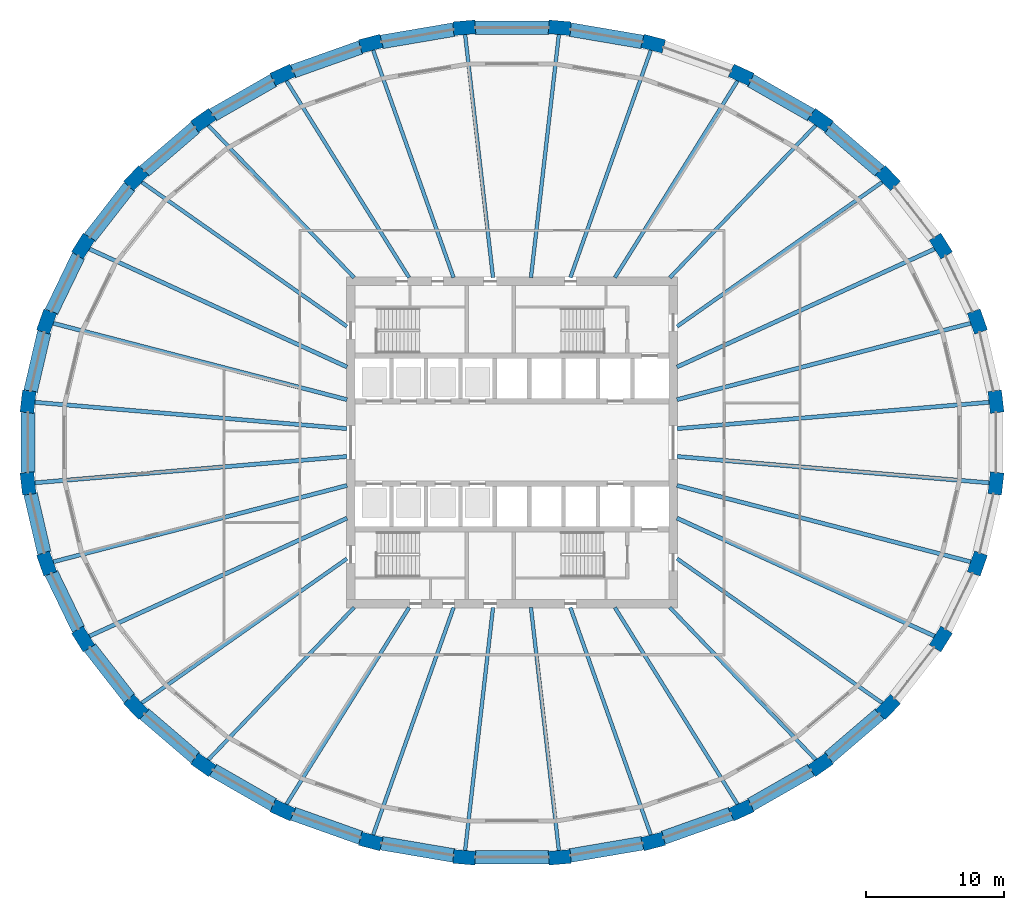
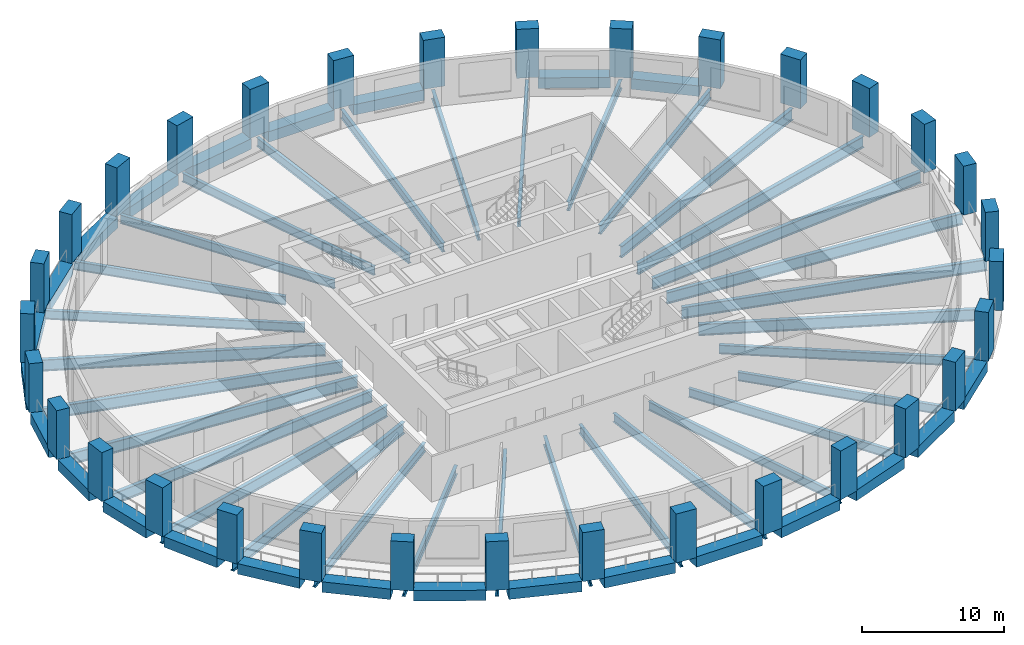
# One storey, part 1 of 10: 56 beams, 32 columns.
"""IFC4 building model written with IfcOpenShell, lengths in metres."""

from ifc_helpers import new_model, si_unit, direction, frame, origin, origin_2d, place, context, subcontext, project, spatial, rectangle, i_section, extrude, material, material_profile, profile_set, type_object, element, save


model = new_model("IFC4")

# Units and contexts
model_context = context("Model", 3, precision=1e-05, world=origin(), true_north=direction((0.0, 1.0)))
body_context = subcontext(model_context, "Body", "Model", "MODEL_VIEW")
ifc_project = project(units=[si_unit("LENGTHUNIT", "METRE"), si_unit("AREAUNIT", "SQUARE_METRE"), si_unit("VOLUMEUNIT", "CUBIC_METRE"), si_unit("PLANEANGLEUNIT", "RADIAN"), si_unit("MASSUNIT", "GRAM", prefix="KILO")], contexts=[model_context])

# Site, building, storey
site_placement = place(None, origin())
site = spatial("IfcSite", under=ifc_project, at=site_placement, CompositionType="ELEMENT")
building_placement = place(site_placement, origin())
building = spatial("IfcBuilding", under=site, at=building_placement, Name="Halqa Exchange Tower", CompositionType="ELEMENT")
storey_placement = place(building_placement, frame((0.0, 0.0, 104.5)))
storey = spatial("IfcBuildingStorey", under=building, at=storey_placement, Name="L23", CompositionType="ELEMENT", Elevation=104.5)

# Columns
ifc_material_1 = material(Name="Concrete C70/85", Category="concrete")
ifc_material_profile_1 = material_profile(ifc_material_1, rectangle(XDim=1.60009765625, YDim=1.0, at=origin_2d()), Name="1600 x 1000")
ifc_profile_set_1 = profile_set([ifc_material_profile_1], Name="Concrete C70/85")
column_type = type_object("IfcColumnType", Name="RC ring column 1600 x 1000 C70/85", PredefinedType="COLUMN", material=ifc_profile_set_1)
for number, where, z_axis, x_axis, name in (
    (1, (35.11962890625, 2.96484375, 0.0), (0.0, 0.0, 1.0), (-0.114162123735, 0.993462132899, 0.0), "Ring column 1"),
    (2, (33.77001953125, 8.780517578125, 0.0), (0.0, 0.0, 1.0), (-0.333625878908, 0.942705560036, 0.0), "Ring column 2"),
    (3, (31.12255859375, 14.2587890625, 0.0), (0.0, 0.0, 1.0), (-0.529139015285, 0.848535151012, 0.0), "Ring column 3"),
    (4, (27.279296875, 19.189208984375, 0.0), (0.0, 0.0, 1.0), (-0.69158113391, 0.722298785282, 0.0), "Ring column 4"),
    (5, (22.387451171875, 23.382080078125, 0.0), (0.0, 0.0, 1.0), (-0.817910796357, 0.575345052297, 0.0), "Ring column 5"),
    (6, (16.635498046875, 26.676513671875, 0.0), (0.0, 0.0, 1.0), (-0.909127822794, 0.416517228722, 0.0), "Ring column 6"),
    (7, (10.243896484375, 28.945556640625, 0.0), (0.0, 0.0, 1.0), (-0.967819942774, 0.251643713153, 0.0), "Ring column 7"),
    (8, (3.458984375, 30.102294921875, 0.0), (0.0, 0.0, 1.0), (-0.996455665803, 0.084119593962, 0.0), "Ring column 8"),
    (9, (-3.458984375, 30.102294921875, 0.0), (0.0, 0.0, 1.0), (-0.996455665803, -0.084119593962, 0.0), "Ring column 9"),
    (10, (-10.243896484375, 28.945556640625, 0.0), (0.0, 0.0, 1.0), (-0.967819942774, -0.251643713153, 0.0), "Ring column 10"),
    (11, (-16.635498046875, 26.676513671875, 0.0), (0.0, 0.0, 1.0), (-0.909127822794, -0.416517228722, 0.0), "Ring column 11"),
    (12, (-22.387451171875, 23.382080078125, 0.0), (0.0, 0.0, 1.0), (-0.817910796357, -0.575345052297, 0.0), "Ring column 12"),
    (13, (-27.279296875, 19.189208984375, 0.0), (0.0, 0.0, 1.0), (-0.69158113391, -0.722298785282, 0.0), "Ring column 13"),
    (14, (-31.12255859375, 14.2587890625, 0.0), (0.0, 0.0, 1.0), (-0.529139015285, -0.848535151012, 0.0), "Ring column 14"),
    (15, (-33.77001953125, 8.780517578125, 0.0), (0.0, 0.0, 1.0), (-0.333625878908, -0.942705560036, 0.0), "Ring column 15"),
    (16, (-35.11962890625, 2.96484375, 0.0), (0.0, 0.0, 1.0), (-0.114162123735, -0.993462132899, 0.0), "Ring column 16"),
    (17, (-35.11962890625, -2.96484375, 0.0), (0.0, 0.0, 1.0), (0.114162123735, -0.993462132899, 0.0), "Ring column 17"),
    (18, (-33.77001953125, -8.780517578125, 0.0), (0.0, 0.0, 1.0), (0.333625878908, -0.942705560036, 0.0), "Ring column 18"),
    (19, (-31.12255859375, -14.2587890625, 0.0), (0.0, 0.0, 1.0), (0.529139015285, -0.848535151012, 0.0), "Ring column 19"),
    (20, (-27.279296875, -19.189208984375, 0.0), (0.0, 0.0, 1.0), (0.69158113391, -0.722298785282, 0.0), "Ring column 20"),
    (21, (-22.387451171875, -23.382080078125, 0.0), (0.0, 0.0, 1.0), (0.817910796357, -0.575345052297, 0.0), "Ring column 21"),
    (22, (-16.635498046875, -26.676513671875, 0.0), (0.0, 0.0, 1.0), (0.909127822794, -0.416517228722, 0.0), "Ring column 22"),
    (23, (-10.243896484375, -28.945556640625, 0.0), (0.0, 0.0, 1.0), (0.967819942774, -0.251643713153, 0.0), "Ring column 23"),
    (24, (-3.458984375, -30.102294921875, 0.0), (0.0, 0.0, 1.0), (0.996455665803, -0.084119593962, 0.0), "Ring column 24"),
    (25, (3.458984375, -30.102294921875, 0.0), (0.0, 0.0, 1.0), (0.996455665803, 0.084119593962, 0.0), "Ring column 25"),
    (26, (10.243896484375, -28.945556640625, 0.0), (0.0, 0.0, 1.0), (0.967819942774, 0.251643713153, 0.0), "Ring column 26"),
    (27, (16.635498046875, -26.676513671875, 0.0), (0.0, 0.0, 1.0), (0.909127822794, 0.416517228722, 0.0), "Ring column 27"),
    (28, (22.387451171875, -23.382080078125, 0.0), (0.0, 0.0, 1.0), (0.817910796357, 0.575345052297, 0.0), "Ring column 28"),
    (29, (27.279296875, -19.189208984375, 0.0), (0.0, 0.0, 1.0), (0.69158113391, 0.722298785282, 0.0), "Ring column 29"),
    (30, (31.12255859375, -14.2587890625, 0.0), (0.0, 0.0, 1.0), (0.529139015285, 0.848535151012, 0.0), "Ring column 30"),
    (31, (33.77001953125, -8.780517578125, 0.0), (0.0, 0.0, 1.0), (0.333625878908, 0.942705560036, 0.0), "Ring column 31"),
    (32, (35.11962890625, -2.96484375, 0.0), (0.0, 0.0, 1.0), (0.114162123735, 0.993462132899, 0.0), "Ring column 32"),
):
    element("IfcColumn", number, at=place(storey_placement, frame(where, z_axis=z_axis, x_axis=x_axis)), inside=storey, type_object=column_type, Name=name, PredefinedType="COLUMN", context=body_context, shape_type="SweptSolid", body=[
        extrude(rectangle(XDim=1.60009765625, YDim=1.0, at=origin_2d()), origin(), (0.0, 0.0, 1.0), 4.199951171875),
    ])

# Beams
ifc_material_2 = material(Name="Steel S355", Category="steel")
ifc_material_profile_2 = material_profile(ifc_material_2, i_section(OverallWidth=0.300048828125, OverallDepth=0.989990234375, WebThickness=0.0166015625, FlangeThickness=0.031005859375, FilletRadius=0.030029296875, at=origin_2d()), Name="HEA 1000")
ifc_profile_set_2 = profile_set([ifc_material_profile_2], Name="Steel S355")
beam_type_1 = type_object("IfcBeamType", Name="Floor beam HEA 1000", PredefinedType="BEAM", material=ifc_profile_set_2)
beam_1_placement = place(storey_placement, frame((11.972412109375, 1.0107421875, -0.794921875), z_axis=(0.996455564778, 0.084120790668, 0.0), x_axis=(-0.084120790668, 0.996455564778, 0.0)))
element("IfcBeam", 33, at=beam_1_placement, inside=storey, type_object=beam_type_1, Name="Radial beam 1", PredefinedType="BEAM", context=body_context, shape_type="SweptSolid", body=[
    extrude(i_section(OverallWidth=0.300048828125, OverallDepth=0.989990234375, WebThickness=0.0166015625, FlangeThickness=0.031005859375, FilletRadius=0.030029296875, at=origin_2d()), origin(), (0.0, 0.0, 1.0), 22.99755859375),
])
beam_2_placement = place(storey_placement, frame((11.97119140625, 3.11279296875, -0.794921875), z_axis=(0.96782122626, 0.251638776821, 0.0), x_axis=(-0.251638776821, 0.96782122626, 0.0)))
element("IfcBeam", 34, at=beam_2_placement, inside=storey, type_object=beam_type_1, Name="Radial beam 2", PredefinedType="BEAM", context=body_context, shape_type="SweptSolid", body=[
    extrude(i_section(OverallWidth=0.300048828125, OverallDepth=0.989990234375, WebThickness=0.0166015625, FlangeThickness=0.031005859375, FilletRadius=0.030029296875, at=origin_2d()), origin(), (0.0, 0.0, 1.0), 22.28759765625),
])
for number, where, z_axis, x_axis, name in (
    (35, (11.972412109375, 5.485107421875, -0.794921875), (0.909124576493, 0.416524314316, 0.0), (-0.416524314316, 0.909124576493, 0.0), "Radial beam 3"),
    (36, (-11.972412109375, 5.485107421875, -0.794921875), (-0.909124576493, 0.416524314316, 0.0), (-0.416524314316, -0.909124576493, 0.0), "Radial beam 14"),
):
    element("IfcBeam", number, at=place(storey_placement, frame(where, z_axis=z_axis, x_axis=x_axis)), inside=storey, type_object=beam_type_1, Name=name, PredefinedType="BEAM", context=body_context, shape_type="SweptSolid", body=[
        extrude(i_section(OverallWidth=0.300048828125, OverallDepth=0.989990234375, WebThickness=0.0166015625, FlangeThickness=0.031005859375, FilletRadius=0.030029296875, at=origin_2d()), origin(), (0.0, 0.0, 1.0), 20.82421875),
    ])
beam_3_placement = place(storey_placement, frame((-11.97119140625, 3.11279296875, -0.794921875), z_axis=(-0.96782122626, 0.251638776821, 0.0), x_axis=(-0.251638776821, -0.96782122626, 0.0)))
element("IfcBeam", 37, at=beam_3_placement, inside=storey, type_object=beam_type_1, Name="Radial beam 15", PredefinedType="BEAM", context=body_context, shape_type="SweptSolid", body=[
    extrude(i_section(OverallWidth=0.300048828125, OverallDepth=0.989990234375, WebThickness=0.0166015625, FlangeThickness=0.031005859375, FilletRadius=0.030029296875, at=origin_2d()), origin(), (0.0, 0.0, 1.0), 22.28759765625),
])
for number, where, z_axis, x_axis, name in (
    (38, (-11.972412109375, 1.0107421875, -0.794921875), (-0.996455564778, 0.084120790668, 0.0), (-0.084120790668, -0.996455564778, 0.0), "Radial beam 16"),
    (39, (-11.972412109375, -1.0107421875, -0.794921875), (-0.996455564778, -0.084120790668, 0.0), (0.084120790668, -0.996455564778, 0.0), "Radial beam 17"),
):
    element("IfcBeam", number, at=place(storey_placement, frame(where, z_axis=z_axis, x_axis=x_axis)), inside=storey, type_object=beam_type_1, Name=name, PredefinedType="BEAM", context=body_context, shape_type="SweptSolid", body=[
        extrude(i_section(OverallWidth=0.300048828125, OverallDepth=0.989990234375, WebThickness=0.0166015625, FlangeThickness=0.031005859375, FilletRadius=0.030029296875, at=origin_2d()), origin(), (0.0, 0.0, 1.0), 22.99755859375),
    ])
beam_4_placement = place(storey_placement, frame((-11.97119140625, -3.11279296875, -0.794921875), z_axis=(-0.96782122626, -0.251638776821, 0.0), x_axis=(0.251638776821, -0.96782122626, 0.0)))
element("IfcBeam", 40, at=beam_4_placement, inside=storey, type_object=beam_type_1, Name="Radial beam 18", PredefinedType="BEAM", context=body_context, shape_type="SweptSolid", body=[
    extrude(i_section(OverallWidth=0.300048828125, OverallDepth=0.989990234375, WebThickness=0.0166015625, FlangeThickness=0.031005859375, FilletRadius=0.030029296875, at=origin_2d()), origin(), (0.0, 0.0, 1.0), 22.28759765625),
])
for number, where, z_axis, x_axis, name in (
    (41, (-11.972412109375, -5.485107421875, -0.794921875), (-0.909124576493, -0.416524314316, 0.0), (0.416524314316, -0.909124576493, 0.0), "Radial beam 19"),
    (42, (11.972412109375, -5.485107421875, -0.794921875), (0.909124576493, -0.416524314316, 0.0), (0.416524314316, 0.909124576493, 0.0), "Radial beam 30"),
):
    element("IfcBeam", number, at=place(storey_placement, frame(where, z_axis=z_axis, x_axis=x_axis)), inside=storey, type_object=beam_type_1, Name=name, PredefinedType="BEAM", context=body_context, shape_type="SweptSolid", body=[
        extrude(i_section(OverallWidth=0.300048828125, OverallDepth=0.989990234375, WebThickness=0.0166015625, FlangeThickness=0.031005859375, FilletRadius=0.030029296875, at=origin_2d()), origin(), (0.0, 0.0, 1.0), 20.82421875),
    ])
beam_5_placement = place(storey_placement, frame((11.97119140625, -3.11279296875, -0.794921875), z_axis=(0.96782122626, -0.251638776821, 0.0), x_axis=(0.251638776821, 0.96782122626, 0.0)))
element("IfcBeam", 43, at=beam_5_placement, inside=storey, type_object=beam_type_1, Name="Radial beam 31", PredefinedType="BEAM", context=body_context, shape_type="SweptSolid", body=[
    extrude(i_section(OverallWidth=0.300048828125, OverallDepth=0.989990234375, WebThickness=0.0166015625, FlangeThickness=0.031005859375, FilletRadius=0.030029296875, at=origin_2d()), origin(), (0.0, 0.0, 1.0), 22.28759765625),
])
beam_6_placement = place(storey_placement, frame((11.972412109375, -1.0107421875, -0.794921875), z_axis=(0.996455564778, -0.084120790668, 0.0), x_axis=(0.084120790668, 0.996455564778, 0.0)))
element("IfcBeam", 44, at=beam_6_placement, inside=storey, type_object=beam_type_1, Name="Radial beam 32", PredefinedType="BEAM", context=body_context, shape_type="SweptSolid", body=[
    extrude(i_section(OverallWidth=0.300048828125, OverallDepth=0.989990234375, WebThickness=0.0166015625, FlangeThickness=0.031005859375, FilletRadius=0.030029296875, at=origin_2d()), origin(), (0.0, 0.0, 1.0), 22.99755859375),
])
ifc_material_profile_3 = material_profile(ifc_material_2, i_section(OverallWidth=0.264892578125, OverallDepth=0.7529296875, WebThickness=0.01318359375, FlangeThickness=0.01708984375, FilletRadius=0.01708984375, at=origin_2d()), Name="IPE 750x147")
ifc_profile_set_3 = profile_set([ifc_material_profile_3], Name="Steel S355")
beam_type_2 = type_object("IfcBeamType", Name="Floor beam IPE 750x147", PredefinedType="BEAM", material=ifc_profile_set_3)
beam_7_placement = place(storey_placement, frame((11.462890625, 11.97216796875, -0.676513671875), z_axis=(0.691575508038, 0.722304171857, 0.0), x_axis=(-0.722304171857, 0.691575508038, 0.0)))
element("IfcBeam", 45, at=beam_7_placement, inside=storey, type_object=beam_type_2, Name="Radial beam 5", PredefinedType="BEAM", context=body_context, shape_type="SweptSolid", body=[
    extrude(i_section(OverallWidth=0.264892578125, OverallDepth=0.7529296875, WebThickness=0.01318359375, FlangeThickness=0.01708984375, FilletRadius=0.01708984375, at=origin_2d()), origin(), (0.0, 0.0, 1.0), 15.54833984375),
])
beam_8_placement = place(storey_placement, frame((7.466064453125, 11.972412109375, -0.676513671875), z_axis=(0.529145374109, 0.848531185673, 0.0), x_axis=(-0.848531185673, 0.529145374109, 0.0)))
element("IfcBeam", 46, at=beam_8_placement, inside=storey, type_object=beam_type_2, Name="Radial beam 6", PredefinedType="BEAM", context=body_context, shape_type="SweptSolid", body=[
    extrude(i_section(OverallWidth=0.264892578125, OverallDepth=0.7529296875, WebThickness=0.01318359375, FlangeThickness=0.01708984375, FilletRadius=0.01708984375, at=origin_2d()), origin(), (0.0, 0.0, 1.0), 17.076904296875),
])
beam_9_placement = place(storey_placement, frame((4.23681640625, 11.9716796875, -0.676513671875), z_axis=(0.333629227982, 0.942704374784, 0.0), x_axis=(-0.942704374784, 0.333629227982, 0.0)))
element("IfcBeam", 47, at=beam_9_placement, inside=storey, type_object=beam_type_2, Name="Radial beam 7", PredefinedType="BEAM", context=body_context, shape_type="SweptSolid", body=[
    extrude(i_section(OverallWidth=0.264892578125, OverallDepth=0.7529296875, WebThickness=0.01318359375, FlangeThickness=0.01708984375, FilletRadius=0.01708984375, at=origin_2d()), origin(), (0.0, 0.0, 1.0), 17.75341796875),
])
for number, where, z_axis, x_axis, name in (
    (48, (1.375732421875, 11.972900390625, -0.676513671875), (0.11415496494, 0.993462955515, 0.0), (-0.993462955515, 0.11415496494, 0.0), "Radial beam 8"),
    (49, (-1.375732421875, 11.972900390625, -0.676513671875), (-0.11415496494, 0.993462955515, 0.0), (-0.993462955515, -0.11415496494, 0.0), "Radial beam 9"),
):
    element("IfcBeam", number, at=place(storey_placement, frame(where, z_axis=z_axis, x_axis=x_axis)), inside=storey, type_object=beam_type_2, Name=name, PredefinedType="BEAM", context=body_context, shape_type="SweptSolid", body=[
        extrude(i_section(OverallWidth=0.264892578125, OverallDepth=0.7529296875, WebThickness=0.01318359375, FlangeThickness=0.01708984375, FilletRadius=0.01708984375, at=origin_2d()), origin(), (0.0, 0.0, 1.0), 17.994873046875),
    ])
beam_10_placement = place(storey_placement, frame((-4.23681640625, 11.9716796875, -0.676513671875), z_axis=(-0.333629227982, 0.942704374784, 0.0), x_axis=(-0.942704374784, -0.333629227982, 0.0)))
element("IfcBeam", 50, at=beam_10_placement, inside=storey, type_object=beam_type_2, Name="Radial beam 10", PredefinedType="BEAM", context=body_context, shape_type="SweptSolid", body=[
    extrude(i_section(OverallWidth=0.264892578125, OverallDepth=0.7529296875, WebThickness=0.01318359375, FlangeThickness=0.01708984375, FilletRadius=0.01708984375, at=origin_2d()), origin(), (0.0, 0.0, 1.0), 17.75341796875),
])
beam_11_placement = place(storey_placement, frame((-7.466064453125, 11.972412109375, -0.676513671875), z_axis=(-0.529145374109, 0.848531185673, 0.0), x_axis=(-0.848531185673, -0.529145374109, 0.0)))
element("IfcBeam", 51, at=beam_11_placement, inside=storey, type_object=beam_type_2, Name="Radial beam 11", PredefinedType="BEAM", context=body_context, shape_type="SweptSolid", body=[
    extrude(i_section(OverallWidth=0.264892578125, OverallDepth=0.7529296875, WebThickness=0.01318359375, FlangeThickness=0.01708984375, FilletRadius=0.01708984375, at=origin_2d()), origin(), (0.0, 0.0, 1.0), 17.076904296875),
])
for number, where, z_axis, x_axis, name in (
    (52, (-11.462890625, 11.97216796875, -0.676513671875), (-0.691575508038, 0.722304171857, 0.0), (-0.722304171857, -0.691575508038, 0.0), "Radial beam 12"),
    (53, (-11.462890625, -11.97216796875, -0.676513671875), (-0.691575508038, -0.722304171857, 0.0), (0.722304171857, -0.691575508038, 0.0), "Radial beam 21"),
):
    element("IfcBeam", number, at=place(storey_placement, frame(where, z_axis=z_axis, x_axis=x_axis)), inside=storey, type_object=beam_type_2, Name=name, PredefinedType="BEAM", context=body_context, shape_type="SweptSolid", body=[
        extrude(i_section(OverallWidth=0.264892578125, OverallDepth=0.7529296875, WebThickness=0.01318359375, FlangeThickness=0.01708984375, FilletRadius=0.01708984375, at=origin_2d()), origin(), (0.0, 0.0, 1.0), 15.54833984375),
    ])
beam_12_placement = place(storey_placement, frame((-7.466064453125, -11.972412109375, -0.676513671875), z_axis=(-0.529145374109, -0.848531185673, 0.0), x_axis=(0.848531185673, -0.529145374109, 0.0)))
element("IfcBeam", 54, at=beam_12_placement, inside=storey, type_object=beam_type_2, Name="Radial beam 22", PredefinedType="BEAM", context=body_context, shape_type="SweptSolid", body=[
    extrude(i_section(OverallWidth=0.264892578125, OverallDepth=0.7529296875, WebThickness=0.01318359375, FlangeThickness=0.01708984375, FilletRadius=0.01708984375, at=origin_2d()), origin(), (0.0, 0.0, 1.0), 17.076904296875),
])
beam_13_placement = place(storey_placement, frame((-4.23681640625, -11.9716796875, -0.676513671875), z_axis=(-0.333629227982, -0.942704374784, 0.0), x_axis=(0.942704374784, -0.333629227982, 0.0)))
element("IfcBeam", 55, at=beam_13_placement, inside=storey, type_object=beam_type_2, Name="Radial beam 23", PredefinedType="BEAM", context=body_context, shape_type="SweptSolid", body=[
    extrude(i_section(OverallWidth=0.264892578125, OverallDepth=0.7529296875, WebThickness=0.01318359375, FlangeThickness=0.01708984375, FilletRadius=0.01708984375, at=origin_2d()), origin(), (0.0, 0.0, 1.0), 17.75341796875),
])
for number, where, z_axis, x_axis, name in (
    (56, (-1.375732421875, -11.972900390625, -0.676513671875), (-0.11415496494, -0.993462955515, 0.0), (0.993462955515, -0.11415496494, 0.0), "Radial beam 24"),
    (57, (1.375732421875, -11.972900390625, -0.676513671875), (0.11415496494, -0.993462955515, 0.0), (0.993462955515, 0.11415496494, 0.0), "Radial beam 25"),
):
    element("IfcBeam", number, at=place(storey_placement, frame(where, z_axis=z_axis, x_axis=x_axis)), inside=storey, type_object=beam_type_2, Name=name, PredefinedType="BEAM", context=body_context, shape_type="SweptSolid", body=[
        extrude(i_section(OverallWidth=0.264892578125, OverallDepth=0.7529296875, WebThickness=0.01318359375, FlangeThickness=0.01708984375, FilletRadius=0.01708984375, at=origin_2d()), origin(), (0.0, 0.0, 1.0), 17.994873046875),
    ])
beam_14_placement = place(storey_placement, frame((4.23681640625, -11.9716796875, -0.676513671875), z_axis=(0.333629227982, -0.942704374784, 0.0), x_axis=(0.942704374784, 0.333629227982, 0.0)))
element("IfcBeam", 58, at=beam_14_placement, inside=storey, type_object=beam_type_2, Name="Radial beam 26", PredefinedType="BEAM", context=body_context, shape_type="SweptSolid", body=[
    extrude(i_section(OverallWidth=0.264892578125, OverallDepth=0.7529296875, WebThickness=0.01318359375, FlangeThickness=0.01708984375, FilletRadius=0.01708984375, at=origin_2d()), origin(), (0.0, 0.0, 1.0), 17.75341796875),
])
beam_15_placement = place(storey_placement, frame((7.466064453125, -11.972412109375, -0.676513671875), z_axis=(0.529145374109, -0.848531185673, 0.0), x_axis=(0.848531185673, 0.529145374109, 0.0)))
element("IfcBeam", 59, at=beam_15_placement, inside=storey, type_object=beam_type_2, Name="Radial beam 27", PredefinedType="BEAM", context=body_context, shape_type="SweptSolid", body=[
    extrude(i_section(OverallWidth=0.264892578125, OverallDepth=0.7529296875, WebThickness=0.01318359375, FlangeThickness=0.01708984375, FilletRadius=0.01708984375, at=origin_2d()), origin(), (0.0, 0.0, 1.0), 17.076904296875),
])
beam_16_placement = place(storey_placement, frame((11.462890625, -11.97216796875, -0.676513671875), z_axis=(0.691575508038, -0.722304171857, 0.0), x_axis=(0.722304171857, 0.691575508038, 0.0)))
element("IfcBeam", 60, at=beam_16_placement, inside=storey, type_object=beam_type_2, Name="Radial beam 28", PredefinedType="BEAM", context=body_context, shape_type="SweptSolid", body=[
    extrude(i_section(OverallWidth=0.264892578125, OverallDepth=0.7529296875, WebThickness=0.01318359375, FlangeThickness=0.01708984375, FilletRadius=0.01708984375, at=origin_2d()), origin(), (0.0, 0.0, 1.0), 15.54833984375),
])
ifc_material_profile_4 = material_profile(ifc_material_2, i_section(OverallWidth=0.26806640625, OverallDepth=0.77001953125, WebThickness=0.015625, FlangeThickness=0.025390625, FilletRadius=0.01708984375, at=origin_2d()), Name="IPE 750x196")
ifc_profile_set_4 = profile_set([ifc_material_profile_4], Name="Steel S355")
beam_type_3 = type_object("IfcBeamType", Name="Floor beam IPE 750x196", PredefinedType="BEAM", material=ifc_profile_set_4)
for number, where, z_axis, x_axis, name in (
    (61, (11.971435546875, 8.421142578125, -0.68505859375), (0.817907777386, 0.575349344043, 0.0), (-0.575349344043, 0.817907777386, 0.0), "Radial beam 4"),
    (62, (-11.971435546875, 8.421142578125, -0.68505859375), (-0.817907777386, 0.575349344043, 0.0), (-0.575349344043, -0.817907777386, 0.0), "Radial beam 13"),
    (63, (-11.971435546875, -8.421142578125, -0.68505859375), (-0.817907777386, -0.575349344043, 0.0), (0.575349344043, -0.817907777386, 0.0), "Radial beam 20"),
    (64, (11.971435546875, -8.421142578125, -0.68505859375), (0.817907777386, -0.575349344043, 0.0), (0.575349344043, 0.817907777386, 0.0), "Radial beam 29"),
):
    element("IfcBeam", number, at=place(storey_placement, frame(where, z_axis=z_axis, x_axis=x_axis)), inside=storey, type_object=beam_type_3, Name=name, PredefinedType="BEAM", context=body_context, shape_type="SweptSolid", body=[
        extrude(i_section(OverallWidth=0.26806640625, OverallDepth=0.77001953125, WebThickness=0.015625, FlangeThickness=0.025390625, FilletRadius=0.01708984375, at=origin_2d()), origin(), (0.0, 0.0, 1.0), 18.4716796875),
    ])
ifc_material_3 = material(Name="Concrete C60/75", Category="concrete")
ifc_material_profile_5 = material_profile(ifc_material_3, rectangle(XDim=1.0, YDim=0.89990234375, at=origin_2d()), Name="1000 x 900")
ifc_profile_set_5 = profile_set([ifc_material_profile_5], Name="Concrete C60/75")
beam_type_4 = type_object("IfcBeamType", Name="RC spandrel beam 1000 x 900 C60/75", PredefinedType="SPANDREL", material=ifc_profile_set_5)
beam_17_placement = place(storey_placement, frame((26.69091796875, 19.693603515625, -0.449951171875), z_axis=(-0.75929182772, 0.650750274957, 0.0), x_axis=(-0.650750274957, -0.75929182772, 0.0)))
element("IfcBeam", 65, at=beam_17_placement, inside=storey, type_object=beam_type_4, Name="Spandrel 4", PredefinedType="SPANDREL", context=body_context, shape_type="SweptSolid", body=[
    extrude(rectangle(XDim=1.0, YDim=0.89990234375, at=origin_2d()), origin(), (0.0, 0.0, 1.0), 4.89208984375),
])
beam_18_placement = place(storey_placement, frame((21.71533203125, 23.76708984375, -0.449951171875), z_axis=(-0.86776348746, 0.496977393682, 0.0), x_axis=(-0.496977393682, -0.86776348746, 0.0)))
element("IfcBeam", 66, at=beam_18_placement, inside=storey, type_object=beam_type_4, Name="Spandrel 5", PredefinedType="SPANDREL", context=body_context, shape_type="SweptSolid", body=[
    extrude(rectangle(XDim=1.0, YDim=0.89990234375, at=origin_2d()), origin(), (0.0, 0.0, 1.0), 5.07861328125),
])
beam_19_placement = place(storey_placement, frame((9.479736328125, 29.075927734375, -0.449951171875), z_axis=(-0.985775855536, 0.168065352298, 0.0), x_axis=(-0.168065352298, -0.985775855536, 0.0)))
element("IfcBeam", 67, at=beam_19_placement, inside=storey, type_object=beam_type_4, Name="Spandrel 7", PredefinedType="SPANDREL", context=body_context, shape_type="SweptSolid", body=[
    extrude(rectangle(XDim=1.0, YDim=0.89990234375, at=origin_2d()), origin(), (0.0, 0.0, 1.0), 5.332763671875),
])
beam_20_placement = place(storey_placement, frame((2.68408203125, 30.102294921875, -0.449951171875), z_axis=(-1.0, 0.0, 0.0), x_axis=(0.0, -1.0, 0.0)))
element("IfcBeam", 68, at=beam_20_placement, inside=storey, type_object=beam_type_4, Name="Spandrel 8", PredefinedType="SPANDREL", context=body_context, shape_type="SweptSolid", body=[
    extrude(rectangle(XDim=1.0, YDim=0.89990234375, at=origin_2d()), origin(), (0.0, 0.0, 1.0), 5.3681640625),
])
beam_21_placement = place(storey_placement, frame((-4.222900390625, 29.97216796875, -0.449951171875), z_axis=(-0.985775855536, -0.168065352298, 0.0), x_axis=(0.168065352298, -0.985775855536, 0.0)))
element("IfcBeam", 69, at=beam_21_placement, inside=storey, type_object=beam_type_4, Name="Spandrel 9", PredefinedType="SPANDREL", context=body_context, shape_type="SweptSolid", body=[
    extrude(rectangle(XDim=1.0, YDim=0.89990234375, at=origin_2d()), origin(), (0.0, 0.0, 1.0), 5.332763671875),
])
beam_22_placement = place(storey_placement, frame((-10.97509765625, 28.68603515625, -0.449951171875), z_axis=(-0.94236843099, -0.334576957177, 0.0), x_axis=(0.334576957177, -0.94236843099, 0.0)))
element("IfcBeam", 70, at=beam_22_placement, inside=storey, type_object=beam_type_4, Name="Spandrel 10", PredefinedType="SPANDREL", context=body_context, shape_type="SweptSolid", body=[
    extrude(rectangle(XDim=1.0, YDim=0.89990234375, at=origin_2d()), origin(), (0.0, 0.0, 1.0), 5.23193359375),
])
beam_23_placement = place(storey_placement, frame((-17.308349609375, 26.291015625, -0.449951171875), z_axis=(-0.86776348746, -0.496977393682, 0.0), x_axis=(0.496977393682, -0.86776348746, 0.0)))
element("IfcBeam", 71, at=beam_23_placement, inside=storey, type_object=beam_type_4, Name="Spandrel 11", PredefinedType="SPANDREL", context=body_context, shape_type="SweptSolid", body=[
    extrude(rectangle(XDim=1.0, YDim=0.89990234375, at=origin_2d()), origin(), (0.0, 0.0, 1.0), 5.07861328125),
])
beam_24_placement = place(storey_placement, frame((-22.976318359375, 22.877197265625, -0.449951171875), z_axis=(-0.75929182772, -0.650750274957, 0.0), x_axis=(0.650750274957, -0.75929182772, 0.0)))
element("IfcBeam", 72, at=beam_24_placement, inside=storey, type_object=beam_type_4, Name="Spandrel 12", PredefinedType="SPANDREL", context=body_context, shape_type="SweptSolid", body=[
    extrude(rectangle(XDim=1.0, YDim=0.89990234375, at=origin_2d()), origin(), (0.0, 0.0, 1.0), 4.89208984375),
])
beam_25_placement = place(storey_placement, frame((-27.75634765625, 18.5771484375, -0.449951171875), z_axis=(-0.614814102192, -0.788672060965, 0.0), x_axis=(0.788672060965, -0.614814102192, 0.0)))
element("IfcBeam", 73, at=beam_25_placement, inside=storey, type_object=beam_type_4, Name="Spandrel 13", PredefinedType="SPANDREL", context=body_context, shape_type="SweptSolid", body=[
    extrude(rectangle(XDim=1.0, YDim=0.89990234375, at=origin_2d()), origin(), (0.0, 0.0, 1.0), 4.699951171875),
])
beam_26_placement = place(storey_placement, frame((-31.46044921875, 13.559814453125, -0.449951171875), z_axis=(-0.435101676996, -0.900381325148, 0.0), x_axis=(0.900381325148, -0.435101676996, 0.0)))
element("IfcBeam", 74, at=beam_26_placement, inside=storey, type_object=beam_type_4, Name="Spandrel 14", PredefinedType="SPANDREL", context=body_context, shape_type="SweptSolid", body=[
    extrude(rectangle(XDim=1.0, YDim=0.89990234375, at=origin_2d()), origin(), (0.0, 0.0, 1.0), 4.530517578125),
])
beam_27_placement = place(storey_placement, frame((-33.9453125, 8.0244140625, -0.449951171875), z_axis=(-0.226062276551, -0.974112851327, 0.0), x_axis=(0.974112851327, -0.226062276551, 0.0)))
element("IfcBeam", 75, at=beam_27_placement, inside=storey, type_object=beam_type_4, Name="Spandrel 15", PredefinedType="SPANDREL", context=body_context, shape_type="SweptSolid", body=[
    extrude(rectangle(XDim=1.0, YDim=0.89990234375, at=origin_2d()), origin(), (0.0, 0.0, 1.0), 4.4169921875),
])
beam_28_placement = place(storey_placement, frame((-35.11962890625, 2.1875, -0.449951171875), z_axis=(0.0, -1.0, 0.0), x_axis=(1.0, 0.0, 0.0)))
element("IfcBeam", 76, at=beam_28_placement, inside=storey, type_object=beam_type_4, Name="Spandrel 16", PredefinedType="SPANDREL", context=body_context, shape_type="SweptSolid", body=[
    extrude(rectangle(XDim=1.0, YDim=0.89990234375, at=origin_2d()), origin(), (0.0, 0.0, 1.0), 4.375),
])
beam_29_placement = place(storey_placement, frame((-34.94384765625, -3.7216796875, -0.449951171875), z_axis=(0.226062276551, -0.974112851327, 0.0), x_axis=(0.974112851327, 0.226062276551, 0.0)))
element("IfcBeam", 77, at=beam_29_placement, inside=storey, type_object=beam_type_4, Name="Spandrel 17", PredefinedType="SPANDREL", context=body_context, shape_type="SweptSolid", body=[
    extrude(rectangle(XDim=1.0, YDim=0.89990234375, at=origin_2d()), origin(), (0.0, 0.0, 1.0), 4.4169921875),
])
beam_30_placement = place(storey_placement, frame((-33.431640625, -9.480712890625, -0.449951171875), z_axis=(0.435101676996, -0.900381325148, 0.0), x_axis=(0.900381325148, 0.435101676996, 0.0)))
element("IfcBeam", 78, at=beam_30_placement, inside=storey, type_object=beam_type_4, Name="Spandrel 18", PredefinedType="SPANDREL", context=body_context, shape_type="SweptSolid", body=[
    extrude(rectangle(XDim=1.0, YDim=0.89990234375, at=origin_2d()), origin(), (0.0, 0.0, 1.0), 4.530517578125),
])
beam_31_placement = place(storey_placement, frame((-30.64599609375, -14.870361328125, -0.449951171875), z_axis=(0.614814102192, -0.788672060965, 0.0), x_axis=(0.788672060965, 0.614814102192, 0.0)))
element("IfcBeam", 79, at=beam_31_placement, inside=storey, type_object=beam_type_4, Name="Spandrel 19", PredefinedType="SPANDREL", context=body_context, shape_type="SweptSolid", body=[
    extrude(rectangle(XDim=1.0, YDim=0.89990234375, at=origin_2d()), origin(), (0.0, 0.0, 1.0), 4.699951171875),
])
beam_32_placement = place(storey_placement, frame((-26.69091796875, -19.693603515625, -0.449951171875), z_axis=(0.75929182772, -0.650750274957, 0.0), x_axis=(0.650750274957, 0.75929182772, 0.0)))
element("IfcBeam", 80, at=beam_32_placement, inside=storey, type_object=beam_type_4, Name="Spandrel 20", PredefinedType="SPANDREL", context=body_context, shape_type="SweptSolid", body=[
    extrude(rectangle(XDim=1.0, YDim=0.89990234375, at=origin_2d()), origin(), (0.0, 0.0, 1.0), 4.89208984375),
])
beam_33_placement = place(storey_placement, frame((-21.71533203125, -23.76708984375, -0.449951171875), z_axis=(0.86776348746, -0.496977393682, 0.0), x_axis=(0.496977393682, 0.86776348746, 0.0)))
element("IfcBeam", 81, at=beam_33_placement, inside=storey, type_object=beam_type_4, Name="Spandrel 21", PredefinedType="SPANDREL", context=body_context, shape_type="SweptSolid", body=[
    extrude(rectangle(XDim=1.0, YDim=0.89990234375, at=origin_2d()), origin(), (0.0, 0.0, 1.0), 5.07861328125),
])
beam_34_placement = place(storey_placement, frame((-15.905517578125, -26.935546875, -0.449951171875), z_axis=(0.94236843099, -0.334576957177, 0.0), x_axis=(0.334576957177, 0.94236843099, 0.0)))
element("IfcBeam", 82, at=beam_34_placement, inside=storey, type_object=beam_type_4, Name="Spandrel 22", PredefinedType="SPANDREL", context=body_context, shape_type="SweptSolid", body=[
    extrude(rectangle(XDim=1.0, YDim=0.89990234375, at=origin_2d()), origin(), (0.0, 0.0, 1.0), 5.23193359375),
])
beam_35_placement = place(storey_placement, frame((-9.479736328125, -29.075927734375, -0.449951171875), z_axis=(0.985775855536, -0.168065352298, 0.0), x_axis=(0.168065352298, 0.985775855536, 0.0)))
element("IfcBeam", 83, at=beam_35_placement, inside=storey, type_object=beam_type_4, Name="Spandrel 23", PredefinedType="SPANDREL", context=body_context, shape_type="SweptSolid", body=[
    extrude(rectangle(XDim=1.0, YDim=0.89990234375, at=origin_2d()), origin(), (0.0, 0.0, 1.0), 5.332763671875),
])
beam_36_placement = place(storey_placement, frame((-2.68408203125, -30.102294921875, -0.449951171875), z_axis=(1.0, 0.0, 0.0), x_axis=(0.0, 1.0, 0.0)))
element("IfcBeam", 84, at=beam_36_placement, inside=storey, type_object=beam_type_4, Name="Spandrel 24", PredefinedType="SPANDREL", context=body_context, shape_type="SweptSolid", body=[
    extrude(rectangle(XDim=1.0, YDim=0.89990234375, at=origin_2d()), origin(), (0.0, 0.0, 1.0), 5.3681640625),
])
beam_37_placement = place(storey_placement, frame((4.222900390625, -29.97216796875, -0.449951171875), z_axis=(0.985775855536, 0.168065352298, 0.0), x_axis=(-0.168065352298, 0.985775855536, 0.0)))
element("IfcBeam", 85, at=beam_37_placement, inside=storey, type_object=beam_type_4, Name="Spandrel 25", PredefinedType="SPANDREL", context=body_context, shape_type="SweptSolid", body=[
    extrude(rectangle(XDim=1.0, YDim=0.89990234375, at=origin_2d()), origin(), (0.0, 0.0, 1.0), 5.332763671875),
])
beam_38_placement = place(storey_placement, frame((10.97509765625, -28.68603515625, -0.449951171875), z_axis=(0.94236843099, 0.334576957177, 0.0), x_axis=(-0.334576957177, 0.94236843099, 0.0)))
element("IfcBeam", 86, at=beam_38_placement, inside=storey, type_object=beam_type_4, Name="Spandrel 26", PredefinedType="SPANDREL", context=body_context, shape_type="SweptSolid", body=[
    extrude(rectangle(XDim=1.0, YDim=0.89990234375, at=origin_2d()), origin(), (0.0, 0.0, 1.0), 5.23193359375),
])
beam_39_placement = place(storey_placement, frame((17.308349609375, -26.291015625, -0.449951171875), z_axis=(0.86776348746, 0.496977393682, 0.0), x_axis=(-0.496977393682, 0.86776348746, 0.0)))
element("IfcBeam", 87, at=beam_39_placement, inside=storey, type_object=beam_type_4, Name="Spandrel 27", PredefinedType="SPANDREL", context=body_context, shape_type="SweptSolid", body=[
    extrude(rectangle(XDim=1.0, YDim=0.89990234375, at=origin_2d()), origin(), (0.0, 0.0, 1.0), 5.07861328125),
])
beam_40_placement = place(storey_placement, frame((22.976318359375, -22.877197265625, -0.449951171875), z_axis=(0.75929182772, 0.650750274957, 0.0), x_axis=(-0.650750274957, 0.75929182772, 0.0)))
element("IfcBeam", 88, at=beam_40_placement, inside=storey, type_object=beam_type_4, Name="Spandrel 28", PredefinedType="SPANDREL", context=body_context, shape_type="SweptSolid", body=[
    extrude(rectangle(XDim=1.0, YDim=0.89990234375, at=origin_2d()), origin(), (0.0, 0.0, 1.0), 4.89208984375),
])

save(model, "model.ifc")
